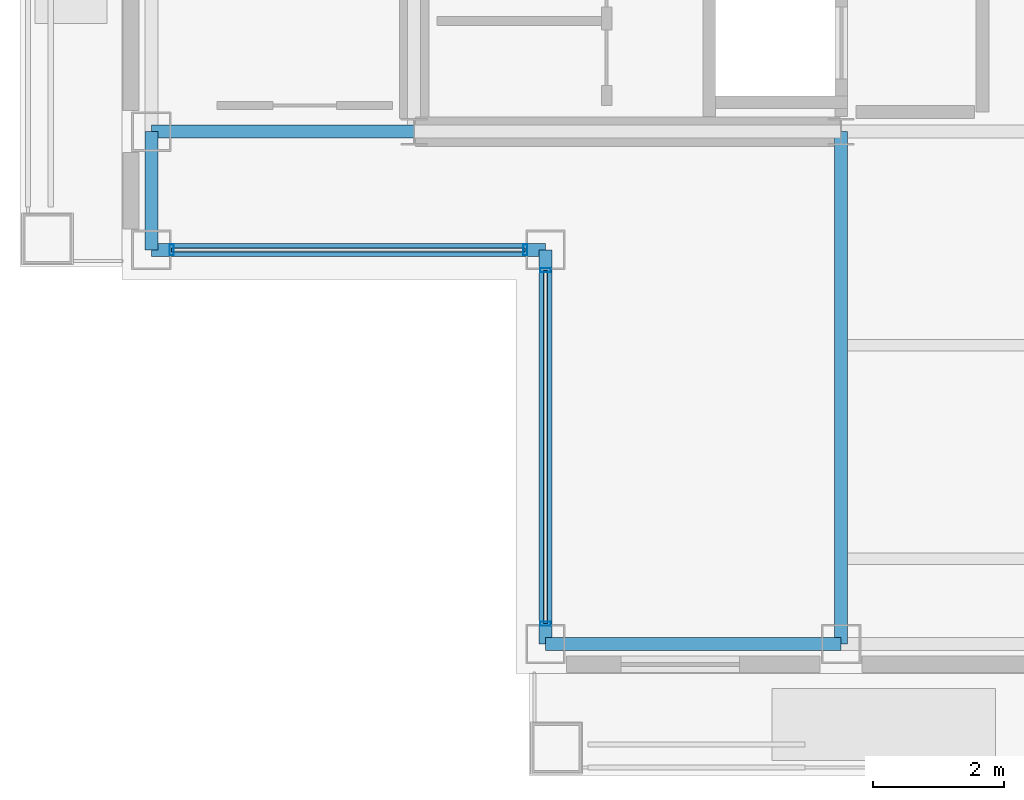
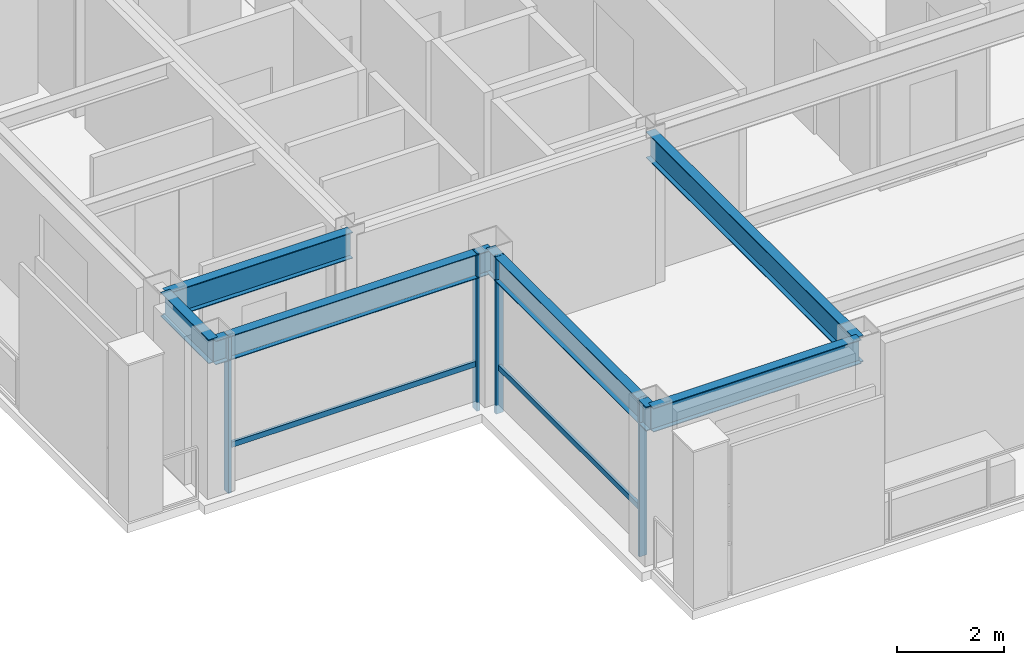
# One storey, part 3 of 24: 6 beams, 6 members, 2 elements without a shape of their own.
"""IFC4 building model written with IfcOpenShell, lengths in metres."""

from ifc_helpers import new_model, si_unit, direction, frame, origin, origin_2d, place, context, subcontext, project, spatial, hollow_rectangle, i_section, extrude, material, layer, layer_set, material_profile, profile_set, type_object, element, aggregate, save


model = new_model("IFC4")

# Units and contexts
model_context = context("Model", 3, precision=1e-05, world=origin(), true_north=direction((0.0, 1.0)))
body_context = subcontext(model_context, "Body", "Model", "MODEL_VIEW")
ifc_project = project(units=[si_unit("LENGTHUNIT", "METRE"), si_unit("AREAUNIT", "SQUARE_METRE"), si_unit("VOLUMEUNIT", "CUBIC_METRE"), si_unit("PLANEANGLEUNIT", "RADIAN"), si_unit("MASSUNIT", "GRAM", prefix="KILO")], contexts=[model_context])

# Site, building, storey
site_placement = place(None, origin())
site = spatial("IfcSite", under=ifc_project, at=site_placement, CompositionType="ELEMENT")
building_placement = place(site_placement, origin())
building = spatial("IfcBuilding", under=site, at=building_placement, Name="Brelmoor Portico Tower", CompositionType="ELEMENT")
storey_placement = place(building_placement, frame((0.0, 0.0, 261.60009765625)))
storey = spatial("IfcBuildingStorey", under=building, at=storey_placement, Name="L69", CompositionType="ELEMENT", Elevation=261.60009765625)

# Beams
ifc_material_1 = material(Name="Steel Q355B", Category="steel")
ifc_material_profile_1 = material_profile(ifc_material_1, i_section(OverallWidth=0.199951171875, OverallDepth=0.60009765625, WebThickness=0.010986328125, FlangeThickness=0.01708984375, at=origin_2d()), Name="HN 600x200x11x17")
ifc_profile_set_1 = profile_set([ifc_material_profile_1], Name="Steel Q355B")
beam_type_1 = type_object("IfcBeamType", Name="BM-PG-600", PredefinedType="BEAM", material=ifc_profile_set_1)
beam_1_placement = place(storey_placement, frame((-8.050048828125, -17.550048828125, 3.099853515625), z_axis=(0.0, 1.0, 0.0), x_axis=(-1.0, 0.0, 0.0)))
element("IfcBeam", 1, at=beam_1_placement, inside=storey, type_object=beam_type_1, Name="L69 Primary Floor Girder PG-03", PredefinedType="BEAM", context=body_context, shape_type="SweptSolid", body=[
    extrude(i_section(OverallWidth=0.199951171875, OverallDepth=0.60009765625, WebThickness=0.010986328125, FlangeThickness=0.01708984375, at=origin_2d()), origin(), (0.0, 0.0, 1.0), 7.800048828125),
])
beam_2_placement = place(storey_placement, frame((-18.550048828125, -9.75, 3.099853515625), z_axis=(1.0, 0.0, 0.0), x_axis=(0.0, 1.0, 0.0)))
element("IfcBeam", 2, at=beam_2_placement, inside=storey, type_object=beam_type_1, Name="L69 Primary Floor Girder PG-11", PredefinedType="BEAM", context=body_context, shape_type="SweptSolid", body=[
    extrude(i_section(OverallWidth=0.199951171875, OverallDepth=0.60009765625, WebThickness=0.010986328125, FlangeThickness=0.01708984375, at=origin_2d()), origin(), (0.0, 0.0, 1.0), 4.0),
])
ifc_material_profile_2 = material_profile(ifc_material_1, i_section(OverallWidth=0.199951171875, OverallDepth=0.550048828125, WebThickness=0.010009765625, FlangeThickness=0.01611328125, at=origin_2d()), Name="HN 550x200x10x16")
ifc_profile_set_2 = profile_set([ifc_material_profile_2], Name="Steel Q355B")
beam_type_2 = type_object("IfcBeamType", Name="BM-SP-550", PredefinedType="SPANDREL", material=ifc_profile_set_2)
beam_3_placement = place(storey_placement, frame((-12.550048828125, -17.550048828125, 3.125), z_axis=(1.0, 0.0, 0.0), x_axis=(0.0, 1.0, 0.0)))
element("IfcBeam", 3, at=beam_3_placement, inside=storey, type_object=beam_type_2, Name="L69 Perimeter Spandrel Beam SP-01", PredefinedType="SPANDREL", context=body_context, shape_type="SweptSolid", body=[
    extrude(i_section(OverallWidth=0.199951171875, OverallDepth=0.550048828125, WebThickness=0.010009765625, FlangeThickness=0.01611328125, at=origin_2d()), origin(), (0.0, 0.0, 1.0), 4.5),
])
beam_4_placement = place(storey_placement, frame((-18.550048828125, -11.550048828125, 3.125), z_axis=(1.0, 0.0, 0.0), x_axis=(0.0, 1.0, 0.0)))
element("IfcBeam", 4, at=beam_4_placement, inside=storey, type_object=beam_type_2, Name="L69 Perimeter Spandrel Beam SP-04", PredefinedType="SPANDREL", context=body_context, shape_type="SweptSolid", body=[
    extrude(i_section(OverallWidth=0.199951171875, OverallDepth=0.550048828125, WebThickness=0.010009765625, FlangeThickness=0.01611328125, at=origin_2d()), origin(), (0.0, 0.0, 1.0), 6.0),
])
beam_5_placement = place(storey_placement, frame((-18.550048828125, -11.550048828125, 3.125), z_axis=(0.0, 1.0, 0.0), x_axis=(-1.0, 0.0, 0.0)))
element("IfcBeam", 5, at=beam_5_placement, inside=storey, type_object=beam_type_2, Name="L69 Perimeter Spandrel Beam SP-11", PredefinedType="SPANDREL", context=body_context, shape_type="SweptSolid", body=[
    extrude(i_section(OverallWidth=0.199951171875, OverallDepth=0.550048828125, WebThickness=0.010009765625, FlangeThickness=0.01611328125, at=origin_2d()), origin(), (0.0, 0.0, 1.0), 1.800048828125),
])
beam_6_placement = place(storey_placement, frame((-12.550048828125, -17.550048828125, 3.125), z_axis=(0.0, 1.0, 0.0), x_axis=(-1.0, 0.0, 0.0)))
element("IfcBeam", 6, at=beam_6_placement, inside=storey, type_object=beam_type_2, Name="L69 Perimeter Spandrel Beam SP-14", PredefinedType="SPANDREL", context=body_context, shape_type="SweptSolid", body=[
    extrude(i_section(OverallWidth=0.199951171875, OverallDepth=0.550048828125, WebThickness=0.010009765625, FlangeThickness=0.01611328125, at=origin_2d()), origin(), (0.0, 0.0, 1.0), 6.0),
])

# Curtain wall, members
ifc_material_2 = material(Name="Anodised Aluminium Alloy 6063-T6", Category="aluminium")
ifc_layer = layer(ifc_material_2, 0.179931640625)
ifc_layer_set = layer_set([ifc_layer], Name="Anodised Aluminium Alloy 6063-T6")
curtain_wall_type = type_object("IfcCurtainWallType", Name="CW-NOTCH-CHAMFER", PredefinedType="NOTDEFINED", material=ifc_layer_set)
curtain_wall_1_placement = place(storey_placement, origin())
curtain_wall_1 = element("IfcCurtainWall", 7, at=curtain_wall_1_placement, inside=storey, type_object=curtain_wall_type, Name="L69 Curtain Wall CWN-L69-SWH", PredefinedType="NOTDEFINED")
ifc_material_profile_3 = material_profile(ifc_material_2, hollow_rectangle(XDim=0.06494140625, YDim=0.1650390625, WallThickness=0.00390625, at=origin_2d()), Name="ALU MULLION 65x165")
ifc_profile_set_3 = profile_set([ifc_material_profile_3], Name="Anodised Aluminium Alloy 6063-T6")
member_type_1 = type_object("IfcMemberType", Name="MB-CW-MULL-165", PredefinedType="MULLION", material=ifc_profile_set_3)
member_1_placement = place(storey_placement, frame((-18.239990234375, -11.550048828125, -0.2001953125), z_axis=(0.0, 0.0, 1.0), x_axis=(1.0, 0.0, 0.0)))
member_1 = element("IfcMember", 8, at=member_1_placement, type_object=member_type_1, Name="CWN-L69-SWH Mullion 00", PredefinedType="MULLION", context=body_context, shape_type="SweptSolid", body=[
    extrude(hollow_rectangle(XDim=0.06494140625, YDim=0.1650390625, WallThickness=0.00390625, at=origin_2d()), origin(), (0.0, 0.0, 1.0), 3.60009765625),
])
member_2_placement = place(storey_placement, frame((-12.860107421875, -11.550048828125, -0.2001953125), z_axis=(0.0, 0.0, 1.0), x_axis=(1.0, 0.0, 0.0)))
member_2 = element("IfcMember", 9, at=member_2_placement, type_object=member_type_1, Name="CWN-L69-SWH Mullion 01", PredefinedType="MULLION", context=body_context, shape_type="SweptSolid", body=[
    extrude(hollow_rectangle(XDim=0.06494140625, YDim=0.1650390625, WallThickness=0.00390625, at=origin_2d()), origin(), (0.0, 0.0, 1.0), 3.60009765625),
])

curtain_wall_2_placement = place(storey_placement, origin())
curtain_wall_2 = element("IfcCurtainWall", 10, at=curtain_wall_2_placement, inside=storey, type_object=curtain_wall_type, Name="L69 Curtain Wall CWN-L69-SWV", PredefinedType="NOTDEFINED")
member_3_placement = place(storey_placement, frame((-12.550048828125, -17.239990234375, -0.2001953125), z_axis=(0.0, 0.0, 1.0), x_axis=(0.0, 1.0, 0.0)))
member_3 = element("IfcMember", 11, at=member_3_placement, type_object=member_type_1, Name="CWN-L69-SWV Mullion 00", PredefinedType="MULLION", context=body_context, shape_type="SweptSolid", body=[
    extrude(hollow_rectangle(XDim=0.06494140625, YDim=0.1650390625, WallThickness=0.00390625, at=origin_2d()), origin(), (0.0, 0.0, 1.0), 3.60009765625),
])
member_4_placement = place(storey_placement, frame((-12.550048828125, -11.860107421875, -0.2001953125), z_axis=(0.0, 0.0, 1.0), x_axis=(0.0, 1.0, 0.0)))
member_4 = element("IfcMember", 12, at=member_4_placement, type_object=member_type_1, Name="CWN-L69-SWV Mullion 01", PredefinedType="MULLION", context=body_context, shape_type="SweptSolid", body=[
    extrude(hollow_rectangle(XDim=0.06494140625, YDim=0.1650390625, WallThickness=0.00390625, at=origin_2d()), origin(), (0.0, 0.0, 1.0), 3.60009765625),
])

# Member
ifc_material_profile_4 = material_profile(ifc_material_2, hollow_rectangle(XDim=0.06005859375, YDim=0.125, WallThickness=0.00341796875, at=origin_2d()), Name="ALU TRANSOM 60x125")
ifc_profile_set_4 = profile_set([ifc_material_profile_4], Name="Anodised Aluminium Alloy 6063-T6")
member_type_2 = type_object("IfcMemberType", Name="MB-CW-TRAN-125", PredefinedType="USERDEFINED", material=ifc_profile_set_4)
member_5_placement = place(storey_placement, frame((-18.239990234375, -11.550048828125, 0.849853515625), z_axis=(1.0, 0.0, 0.0), x_axis=(0.0, 1.0, 0.0)))
member_5 = element("IfcMember", 13, at=member_5_placement, type_object=member_type_2, Name="CWN-L69-SWH Transom 1-00", ObjectType="TRANSOM", PredefinedType="USERDEFINED", context=body_context, shape_type="SweptSolid", body=[
    extrude(hollow_rectangle(XDim=0.06005859375, YDim=0.125, WallThickness=0.00341796875, at=origin_2d()), origin(), (0.0, 0.0, 1.0), 5.3798828125),
])

aggregate(curtain_wall_1, [member_1, member_2, member_5])

member_6_placement = place(storey_placement, frame((-12.550048828125, -17.239990234375, 0.849853515625), z_axis=(0.0, 1.0, 0.0), x_axis=(-1.0, 0.0, 0.0)))
member_6 = element("IfcMember", 14, at=member_6_placement, type_object=member_type_2, Name="CWN-L69-SWV Transom 1-00", ObjectType="TRANSOM", PredefinedType="USERDEFINED", context=body_context, shape_type="SweptSolid", body=[
    extrude(hollow_rectangle(XDim=0.06005859375, YDim=0.125, WallThickness=0.00341796875, at=origin_2d()), origin(), (0.0, 0.0, 1.0), 5.3798828125),
])

aggregate(curtain_wall_2, [member_3, member_4, member_6])

save(model, "model.ifc")
